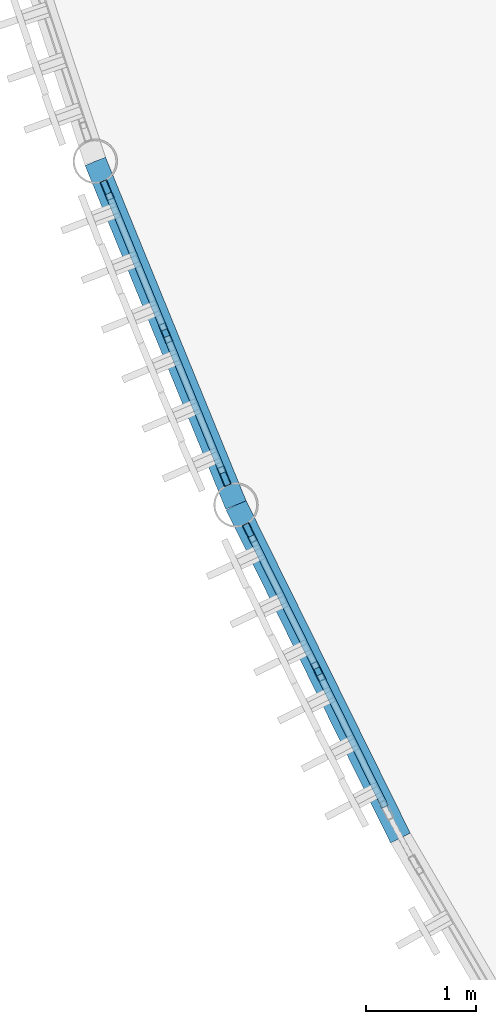
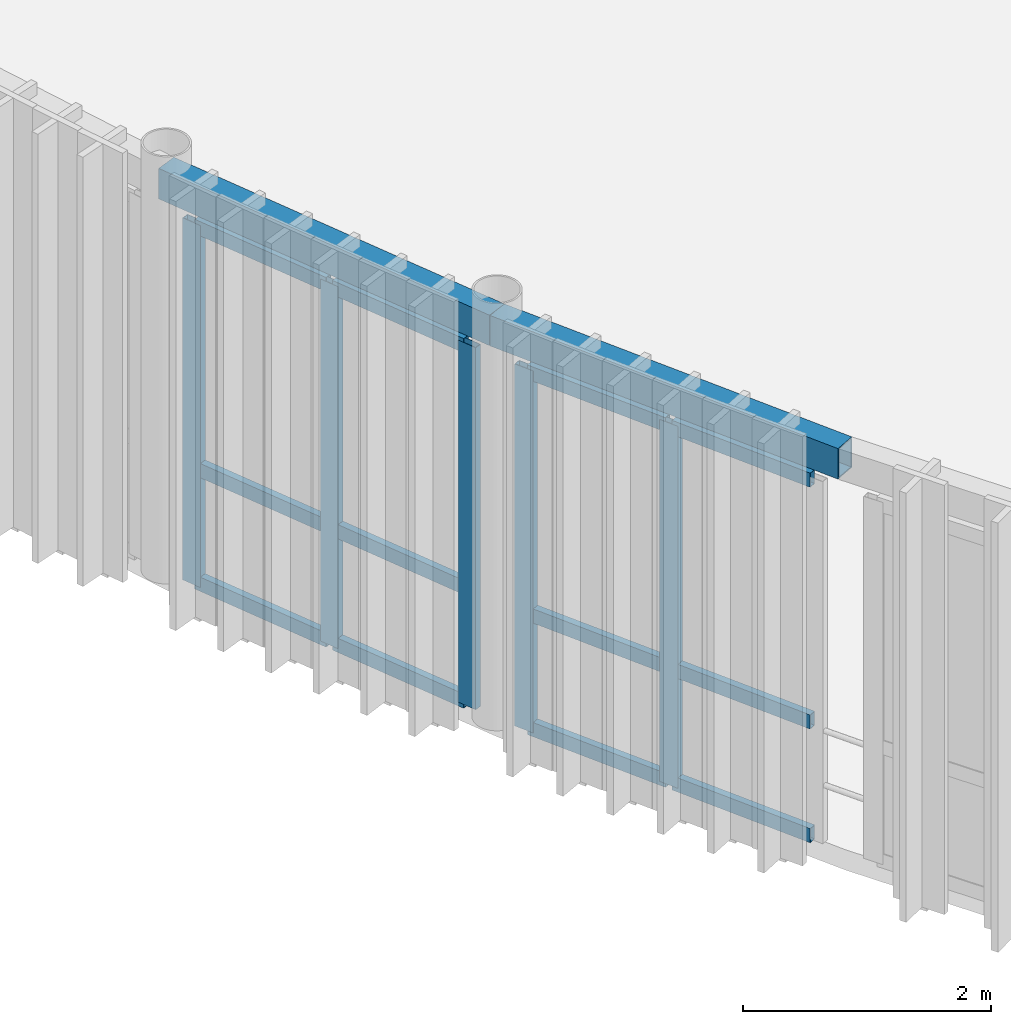
# One storey, part 16 of 54: 17 members, 2 beams, 2 elements without a shape of their own.
"""IFC4 building model written with IfcOpenShell, lengths in metres."""

from ifc_helpers import new_model, si_unit, direction, frame, origin, origin_2d, place, context, subcontext, project, spatial, hollow_rectangle, extrude, material, layer, layer_set, material_profile, profile_set, type_object, element, aggregate, save


model = new_model("IFC4")

# Units and contexts
model_context = context("Model", 3, precision=1e-05, world=origin(), true_north=direction((0.0, 1.0)))
body_context = subcontext(model_context, "Body", "Model", "MODEL_VIEW")
ifc_project = project(units=[si_unit("LENGTHUNIT", "METRE"), si_unit("AREAUNIT", "SQUARE_METRE"), si_unit("VOLUMEUNIT", "CUBIC_METRE"), si_unit("PLANEANGLEUNIT", "RADIAN"), si_unit("MASSUNIT", "GRAM", prefix="KILO")], contexts=[model_context])

# Site, building, storey
site_placement = place(None, origin())
site = spatial("IfcSite", under=ifc_project, at=site_placement, CompositionType="ELEMENT")
building_placement = place(site_placement, origin())
building = spatial("IfcBuilding", under=site, at=building_placement, Name="Selat Folded Stagehouse", CompositionType="ELEMENT")
storey_placement = place(building_placement, frame((0.0, 0.0, 15.0)))
storey = spatial("IfcBuildingStorey", under=building, at=storey_placement, Name="L03", CompositionType="ELEMENT", Elevation=15.0)

# Curtain wall, members
ifc_material_1 = material(Name="Aluminium 6063-T6", Category="aluminium")
ifc_layer = layer(ifc_material_1, 0.18505859375)
ifc_layer_set = layer_set([ifc_layer], Name="Aluminium 6063-T6")
curtain_wall_type = type_object("IfcCurtainWallType", Name="CW-DRM-UPPER", PredefinedType="NOTDEFINED", material=ifc_layer_set)
curtain_wall_1_placement = place(storey_placement, origin())
curtain_wall_1 = element("IfcCurtainWall", 1, at=curtain_wall_1_placement, inside=storey, type_object=curtain_wall_type, Name="L03 curtain wall CW-DRM-L03-07", PredefinedType="NOTDEFINED")
ifc_material_profile_1 = material_profile(ifc_material_1, hollow_rectangle(XDim=0.06494140625, YDim=0.179931640625, WallThickness=0.00390625, at=origin_2d()), Name="ALU 180x65x4.0")
ifc_profile_set_1 = profile_set([ifc_material_profile_1], Name="Aluminium 6063-T6")
member_type_1 = type_object("IfcMemberType", Name="CWM-MUL-180x65", PredefinedType="MULLION", material=ifc_profile_set_1)
member_1_placement = place(storey_placement, frame((4.136962890625, 28.52783203125, 0.0), z_axis=(0.0, 0.0, 1.0), x_axis=(-0.925441425231, -0.378890707813, 0.0)))
member_1 = element("IfcMember", 2, at=member_1_placement, type_object=member_type_1, Name="CW-03 mullion 1", PredefinedType="MULLION", context=body_context, shape_type="SweptSolid", body=[
    extrude(hollow_rectangle(XDim=0.06494140625, YDim=0.179931640625, WallThickness=0.00390625, at=origin_2d()), origin(), (0.0, 0.0, 1.0), 3.56005859375),
])
member_2_placement = place(storey_placement, frame((3.605712890625, 29.8251953125, 0.0), z_axis=(0.0, 0.0, 1.0), x_axis=(-0.925441425231, -0.378890707813, 0.0)))
member_2 = element("IfcMember", 3, at=member_2_placement, type_object=member_type_1, Name="CW-03 mullion 2", PredefinedType="MULLION", context=body_context, shape_type="SweptSolid", body=[
    extrude(hollow_rectangle(XDim=0.06494140625, YDim=0.179931640625, WallThickness=0.00390625, at=origin_2d()), origin(), (0.0, 0.0, 1.0), 3.56005859375),
])
member_3_placement = place(storey_placement, frame((3.07470703125, 31.122802734375, 0.0), z_axis=(0.0, 0.0, 1.0), x_axis=(-0.925441425231, -0.378890707813, 0.0)))
member_3 = element("IfcMember", 4, at=member_3_placement, type_object=member_type_1, Name="CW-03 mullion 3", PredefinedType="MULLION", context=body_context, shape_type="SweptSolid", body=[
    extrude(hollow_rectangle(XDim=0.06494140625, YDim=0.179931640625, WallThickness=0.00390625, at=origin_2d()), origin(), (0.0, 0.0, 1.0), 3.56005859375),
])

curtain_wall_2_placement = place(storey_placement, origin())
curtain_wall_2 = element("IfcCurtainWall", 5, at=curtain_wall_2_placement, inside=storey, type_object=curtain_wall_type, Name="L03 curtain wall CW-DRM-L03-08", PredefinedType="NOTDEFINED")
member_4_placement = place(storey_placement, frame((4.989990234375, 26.756103515625, 0.0), z_axis=(0.0, 0.0, 1.0), x_axis=(-0.896598356392, -0.442844653705, 0.0)))
member_4 = element("IfcMember", 6, at=member_4_placement, type_object=member_type_1, Name="CW-03 mullion 2", PredefinedType="MULLION", context=body_context, shape_type="SweptSolid", body=[
    extrude(hollow_rectangle(XDim=0.06494140625, YDim=0.179931640625, WallThickness=0.00390625, at=origin_2d()), origin(), (0.0, 0.0, 1.0), 3.56005859375),
])
member_5_placement = place(storey_placement, frame((4.369140625, 28.01318359375, 0.0), z_axis=(0.0, 0.0, 1.0), x_axis=(-0.896598356392, -0.442844653705, 0.0)))
member_5 = element("IfcMember", 7, at=member_5_placement, type_object=member_type_1, Name="CW-03 mullion 3", PredefinedType="MULLION", context=body_context, shape_type="SweptSolid", body=[
    extrude(hollow_rectangle(XDim=0.06494140625, YDim=0.179931640625, WallThickness=0.00390625, at=origin_2d()), origin(), (0.0, 0.0, 1.0), 3.56005859375),
])

# Member
ifc_material_profile_2 = material_profile(ifc_material_1, hollow_rectangle(XDim=0.06494140625, YDim=0.139892578125, WallThickness=0.00390625, at=origin_2d()), Name="ALU 140x65x4.0")
ifc_profile_set_2 = profile_set([ifc_material_profile_2], Name="Aluminium 6063-T6")
member_type_2 = type_object("IfcMemberType", Name="CWM-TRN-140x65", PredefinedType="USERDEFINED", material=ifc_profile_set_2)
member_6_placement = place(storey_placement, frame((4.124755859375, 28.557861328125, 0.032470703125), z_axis=(-0.378903018668, 0.925436384872, 0.0), x_axis=(-0.925436384872, -0.378903018668, 0.0)))
member_6 = element("IfcMember", 8, at=member_6_placement, type_object=member_type_2, Name="CW-03 transom 1.1", ObjectType="TRANSOM", PredefinedType="USERDEFINED", context=body_context, shape_type="SweptSolid", body=[
    extrude(hollow_rectangle(XDim=0.06494140625, YDim=0.139892578125, WallThickness=0.00390625, at=origin_2d()), origin(), (0.0, 0.0, 1.0), 1.3369140625),
])

member_7_placement = place(storey_placement, frame((4.124755859375, 28.557861328125, 1.14990234375), z_axis=(-0.378903018668, 0.925436384872, 0.0), x_axis=(-0.925436384872, -0.378903018668, 0.0)))
member_7 = element("IfcMember", 9, at=member_7_placement, type_object=member_type_2, Name="CW-03 transom 1.2", ObjectType="TRANSOM", PredefinedType="USERDEFINED", context=body_context, shape_type="SweptSolid", body=[
    extrude(hollow_rectangle(XDim=0.06494140625, YDim=0.139892578125, WallThickness=0.00390625, at=origin_2d()), origin(), (0.0, 0.0, 1.0), 1.3369140625),
])

member_8_placement = place(storey_placement, frame((4.124755859375, 28.557861328125, 3.527587890625), z_axis=(-0.378903018668, 0.925436384872, 0.0), x_axis=(-0.925436384872, -0.378903018668, 0.0)))
member_8 = element("IfcMember", 10, at=member_8_placement, type_object=member_type_2, Name="CW-03 transom 1.3", ObjectType="TRANSOM", PredefinedType="USERDEFINED", context=body_context, shape_type="SweptSolid", body=[
    extrude(hollow_rectangle(XDim=0.06494140625, YDim=0.139892578125, WallThickness=0.00390625, at=origin_2d()), origin(), (0.0, 0.0, 1.0), 1.3369140625),
])

member_9_placement = place(storey_placement, frame((3.593505859375, 29.85546875, 0.032470703125), z_axis=(-0.378967058745, 0.925410162245, 0.0), x_axis=(-0.925410162245, -0.378967058745, 0.0)))
member_9 = element("IfcMember", 11, at=member_9_placement, type_object=member_type_2, Name="CW-03 transom 2.1", ObjectType="TRANSOM", PredefinedType="USERDEFINED", context=body_context, shape_type="SweptSolid", body=[
    extrude(hollow_rectangle(XDim=0.06494140625, YDim=0.139892578125, WallThickness=0.00390625, at=origin_2d()), origin(), (0.0, 0.0, 1.0), 1.336669921875),
])

member_10_placement = place(storey_placement, frame((3.593505859375, 29.85546875, 1.14990234375), z_axis=(-0.378967058745, 0.925410162245, 0.0), x_axis=(-0.925410162245, -0.378967058745, 0.0)))
member_10 = element("IfcMember", 12, at=member_10_placement, type_object=member_type_2, Name="CW-03 transom 2.2", ObjectType="TRANSOM", PredefinedType="USERDEFINED", context=body_context, shape_type="SweptSolid", body=[
    extrude(hollow_rectangle(XDim=0.06494140625, YDim=0.139892578125, WallThickness=0.00390625, at=origin_2d()), origin(), (0.0, 0.0, 1.0), 1.336669921875),
])

member_11_placement = place(storey_placement, frame((3.593505859375, 29.85546875, 3.527587890625), z_axis=(-0.378967058745, 0.925410162245, 0.0), x_axis=(-0.925410162245, -0.378967058745, 0.0)))
member_11 = element("IfcMember", 13, at=member_11_placement, type_object=member_type_2, Name="CW-03 transom 2.3", ObjectType="TRANSOM", PredefinedType="USERDEFINED", context=body_context, shape_type="SweptSolid", body=[
    extrude(hollow_rectangle(XDim=0.06494140625, YDim=0.139892578125, WallThickness=0.00390625, at=origin_2d()), origin(), (0.0, 0.0, 1.0), 1.336669921875),
])

aggregate(curtain_wall_1, [member_1, member_2, member_3, member_6, member_7, member_8, member_9, member_10, member_11])

member_12_placement = place(storey_placement, frame((5.596435546875, 25.528076171875, 0.032470703125), z_axis=(-0.442825622785, 0.896607755825, 0.0), x_axis=(-0.896607755825, -0.442825622785, 0.0)))
member_12 = element("IfcMember", 14, at=member_12_placement, type_object=member_type_2, Name="CW-03 transom 1.1", ObjectType="TRANSOM", PredefinedType="USERDEFINED", context=body_context, shape_type="SweptSolid", body=[
    extrude(hollow_rectangle(XDim=0.06494140625, YDim=0.139892578125, WallThickness=0.00390625, at=origin_2d()), origin(), (0.0, 0.0, 1.0), 1.3369140625),
])

member_13_placement = place(storey_placement, frame((5.596435546875, 25.528076171875, 1.14990234375), z_axis=(-0.442825622785, 0.896607755825, 0.0), x_axis=(-0.896607755825, -0.442825622785, 0.0)))
member_13 = element("IfcMember", 15, at=member_13_placement, type_object=member_type_2, Name="CW-03 transom 1.2", ObjectType="TRANSOM", PredefinedType="USERDEFINED", context=body_context, shape_type="SweptSolid", body=[
    extrude(hollow_rectangle(XDim=0.06494140625, YDim=0.139892578125, WallThickness=0.00390625, at=origin_2d()), origin(), (0.0, 0.0, 1.0), 1.3369140625),
])

member_14_placement = place(storey_placement, frame((5.596435546875, 25.528076171875, 3.527587890625), z_axis=(-0.442825622785, 0.896607755825, 0.0), x_axis=(-0.896607755825, -0.442825622785, 0.0)))
member_14 = element("IfcMember", 16, at=member_14_placement, type_object=member_type_2, Name="CW-03 transom 1.3", ObjectType="TRANSOM", PredefinedType="USERDEFINED", context=body_context, shape_type="SweptSolid", body=[
    extrude(hollow_rectangle(XDim=0.06494140625, YDim=0.139892578125, WallThickness=0.00390625, at=origin_2d()), origin(), (0.0, 0.0, 1.0), 1.3369140625),
])

member_15_placement = place(storey_placement, frame((4.9755859375, 26.78515625, 0.032470703125), z_axis=(-0.442753130164, 0.896643555561, 0.0), x_axis=(-0.896643555561, -0.442753130164, 0.0)))
member_15 = element("IfcMember", 17, at=member_15_placement, type_object=member_type_2, Name="CW-03 transom 2.1", ObjectType="TRANSOM", PredefinedType="USERDEFINED", context=body_context, shape_type="SweptSolid", body=[
    extrude(hollow_rectangle(XDim=0.06494140625, YDim=0.139892578125, WallThickness=0.00390625, at=origin_2d()), origin(), (0.0, 0.0, 1.0), 1.337158203125),
])

member_16_placement = place(storey_placement, frame((4.9755859375, 26.78515625, 1.14990234375), z_axis=(-0.442753130164, 0.896643555561, 0.0), x_axis=(-0.896643555561, -0.442753130164, 0.0)))
member_16 = element("IfcMember", 18, at=member_16_placement, type_object=member_type_2, Name="CW-03 transom 2.2", ObjectType="TRANSOM", PredefinedType="USERDEFINED", context=body_context, shape_type="SweptSolid", body=[
    extrude(hollow_rectangle(XDim=0.06494140625, YDim=0.139892578125, WallThickness=0.00390625, at=origin_2d()), origin(), (0.0, 0.0, 1.0), 1.337158203125),
])

member_17_placement = place(storey_placement, frame((4.9755859375, 26.78515625, 3.527587890625), z_axis=(-0.442753130164, 0.896643555561, 0.0), x_axis=(-0.896643555561, -0.442753130164, 0.0)))
member_17 = element("IfcMember", 19, at=member_17_placement, type_object=member_type_2, Name="CW-03 transom 2.3", ObjectType="TRANSOM", PredefinedType="USERDEFINED", context=body_context, shape_type="SweptSolid", body=[
    extrude(hollow_rectangle(XDim=0.06494140625, YDim=0.139892578125, WallThickness=0.00390625, at=origin_2d()), origin(), (0.0, 0.0, 1.0), 1.337158203125),
])

aggregate(curtain_wall_2, [member_4, member_5, member_12, member_13, member_14, member_15, member_16, member_17])

# Beams
ifc_material_2 = material(Name="Steel S355", Category="steel")
ifc_material_profile_3 = material_profile(ifc_material_2, hollow_rectangle(XDim=0.199951171875, YDim=0.300048828125, WallThickness=0.012451171875, at=origin_2d()), Name="RHS 300x200x12.5")
ifc_profile_set_3 = profile_set([ifc_material_profile_3], Name="Steel S355")
beam_type = type_object("IfcBeamType", Name="SPD-RHS-300x200", PredefinedType="SPANDREL", material=ifc_profile_set_3)
for number, where, z_axis, x_axis, name in (
    (20, (2.967529296875, 31.38427734375, 3.85009765625), (0.3788501038, -0.925458048131, 0.0), (0.925458048131, 0.3788501038, 0.0), "L03 curved drum spandrel beam 8"),
    (21, (4.243896484375, 28.266357421875, 3.85009765625), (0.442889628602, -0.896576141148, 0.0), (0.896576141148, 0.442889628602, 0.0), "L03 curved drum spandrel beam 9"),
):
    element("IfcBeam", number, at=place(storey_placement, frame(where, z_axis=z_axis, x_axis=x_axis)), inside=storey, type_object=beam_type, Name=name, PredefinedType="SPANDREL", context=body_context, shape_type="SweptSolid", body=[
        extrude(hollow_rectangle(XDim=0.199951171875, YDim=0.300048828125, WallThickness=0.012451171875, at=origin_2d()), origin(), (0.0, 0.0, 1.0), 3.369140625),
    ])

save(model, "model.ifc")
